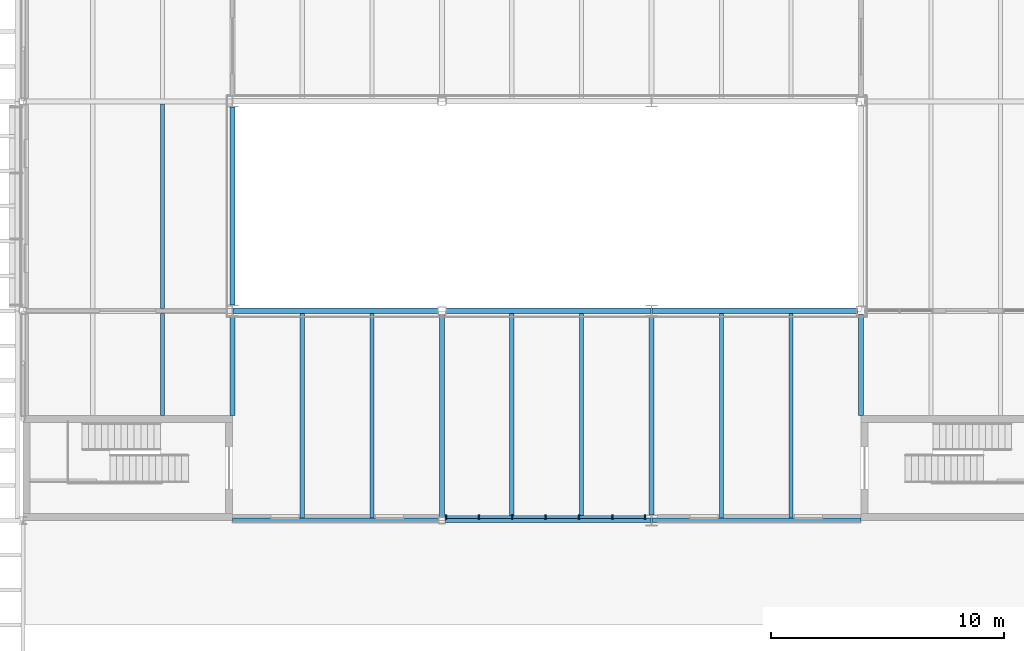
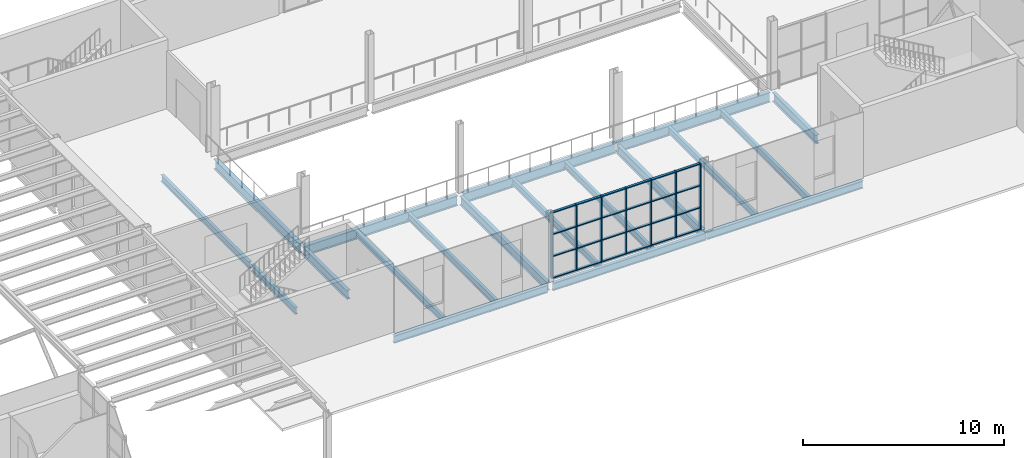
# One storey, part 9 of 57: 31 members, 19 beams, 1 element without a shape of its own.
"""IFC4 building model written with IfcOpenShell, lengths in metres."""

import ifcopenshell
import ifcopenshell.guid

model = None  # the IFC model being written
_history = None  # IfcOwnerHistory: only IFC2X3 demands one
_inside = {}  # id of a spatial element -> (the spatial element, [elements in it])
_under = {}  # id of a project, library or spatial element -> (it, [spatial elements below it])
_declared = {}  # id of a project -> (the project, [libraries it declares])
_typed = {}  # id of a type object -> (the type object, [elements of that type])
_made_of = {}  # id of a material, layer set ... -> (it, [elements and type objects made of it])


def new_model(schema):
    """Start an empty IFC model of exactly this schema.

    Asked for "IFC4X3", IfcOpenShell would pick the latest addendum, in which some entities
    have other attributes; the version numbers below select the first issue.
    IFC2X3 requires an IfcOwnerHistory on every rooted entity: one is made here for all.
    """
    global model, _history
    if schema == "IFC4X3":
        model = ifcopenshell.file(schema_version=(4, 3, 0, 0))
    else:
        model = ifcopenshell.file(schema=schema)
    _inside.clear()
    _under.clear()
    _declared.clear()
    _typed.clear()
    _made_of.clear()
    _history = None
    if model.schema == "IFC2X3":
        org = make("IfcOrganization", Name="unknown")
        user = make(
            "IfcPersonAndOrganization",
            ThePerson=make("IfcPerson", FamilyName="unknown"),
            TheOrganization=org,
        )
        app = make(
            "IfcApplication",
            ApplicationDeveloper=org,
            Version="unknown",
            ApplicationFullName="unknown",
            ApplicationIdentifier="unknown",
        )
        _history = make(
            "IfcOwnerHistory",
            OwningUser=user,
            OwningApplication=app,
            ChangeAction="ADDED",
            CreationDate=0,
        )
    return model


def make(cls, **values):
    """One entity of the class cls with the attributes given. An attribute that is None is left unset."""
    return model.create_entity(
        cls, **{name: value for name, value in values.items() if value is not None}
    )


def rooted(cls, **values):
    """An entity with a GlobalId (a new one), such as an element, a storey or a relation."""
    return make(cls, GlobalId=ifcopenshell.guid.new(), OwnerHistory=_history, **values)


def si_unit(unit_type, name, prefix=None):
    """IfcSIUnit, for example si_unit("LENGTHUNIT", "METRE", prefix="MILLI")."""
    return make("IfcSIUnit", UnitType=unit_type, Prefix=prefix, Name=name)


def assignment(units):
    """IfcUnitAssignment: the units of a project."""
    return None if units is None else make("IfcUnitAssignment", Units=units)


def point(xyz):
    """IfcCartesianPoint."""
    return None if xyz is None else make("IfcCartesianPoint", Coordinates=xyz)


def direction(xyz):
    """IfcDirection."""
    return None if xyz is None else make("IfcDirection", DirectionRatios=xyz)


def frame(location, z_axis=None, x_axis=None):
    """IfcAxis2Placement3D, a coordinate frame: its origin and axes. An axis left out is left unset."""
    return make(
        "IfcAxis2Placement3D",
        Location=point(location),
        Axis=direction(z_axis),
        RefDirection=direction(x_axis),
    )


def frame_2d(location, x_axis=None):
    """IfcAxis2Placement2D, a coordinate frame in the plane: its origin and x axis."""
    return make(
        "IfcAxis2Placement2D", Location=point(location), RefDirection=direction(x_axis)
    )


def origin():
    """The frame at (0, 0, 0) with its axes left unset."""
    return frame((0.0, 0.0, 0.0))


def origin_2d():
    """The frame at (0, 0) in the plane with its x axis left unset."""
    return frame_2d((0.0, 0.0))


def place(relative_to, where):
    """IfcLocalPlacement: puts the frame where relative to a parent placement (None: the world)."""
    return make(
        "IfcLocalPlacement", PlacementRelTo=relative_to, RelativePlacement=where
    )


def context(
    kind, dimensions, precision=None, world=None, true_north=None, identifier=None
):
    """IfcGeometricRepresentationContext, for example the 3D "Model" context."""
    return make(
        "IfcGeometricRepresentationContext",
        ContextIdentifier=identifier,
        ContextType=kind,
        CoordinateSpaceDimension=dimensions,
        Precision=precision,
        WorldCoordinateSystem=world,
        TrueNorth=true_north,
    )


def subcontext(parent, identifier, kind, view, scale=None):
    """IfcGeometricRepresentationSubContext, for example "Body" below "Model"."""
    return make(
        "IfcGeometricRepresentationSubContext",
        ContextIdentifier=identifier,
        ContextType=kind,
        ParentContext=parent,
        TargetScale=scale,
        TargetView=view,
    )


def project(units=None, contexts=None):
    """IfcProject with its units and contexts."""
    return rooted(
        "IfcProject",
        Name="project",
        RepresentationContexts=contexts,
        UnitsInContext=assignment(units),
    )


def spatial(cls, under=None, at=None, **own):
    """A site, building, storey or space (cls), placed at a placement, below another one or the project."""
    s = rooted(cls, ObjectPlacement=at, **own)
    if under is not None:
        _under.setdefault(under.id(), (under, []))[1].append(s)
    return s


def profile(cls, at=None, kind="AREA", **sizes):
    """A parametric profile (cls). Its sizes go by their IFC names, for example OverallWidth=200.0."""
    return make(cls, ProfileType=kind, Position=at, **sizes)


def rectangle(**sizes):
    """IfcRectangleProfileDef."""
    return profile("IfcRectangleProfileDef", **sizes)


def i_section(**sizes):
    """IfcIShapeProfileDef."""
    return profile("IfcIShapeProfileDef", **sizes)


def extrude(swept, where, along, depth):
    """IfcExtrudedAreaSolid: the profile swept, set in the frame where, extruded along a direction by depth."""
    return make(
        "IfcExtrudedAreaSolid",
        SweptArea=swept,
        Position=where,
        ExtrudedDirection=direction(along),
        Depth=depth,
    )


def shape(context_of_items, identifier, shape_type, items):
    """IfcShapeRepresentation: the items that make up one representation, for example the "Body"."""
    return make(
        "IfcShapeRepresentation",
        ContextOfItems=context_of_items,
        RepresentationIdentifier=identifier,
        RepresentationType=shape_type,
        Items=items,
    )


def material(Name=None, Category=None):
    """IfcMaterial."""
    return make("IfcMaterial", Name=Name, Category=Category)


def layer(
    of_material, thickness, ventilated=None, Name=None, Category=None, Priority=None
):
    """IfcMaterialLayer: one layer of a wall or slab, of a material (None: an air gap)."""
    return make(
        "IfcMaterialLayer",
        Material=of_material,
        LayerThickness=thickness,
        IsVentilated=ventilated,
        Name=Name,
        Category=Category,
        Priority=Priority,
    )


def layer_set(layers, Name=None):
    """IfcMaterialLayerSet."""
    return make("IfcMaterialLayerSet", MaterialLayers=layers, LayerSetName=Name)


def material_profile(
    of_material, cross_section, Name=None, Category=None, Priority=None
):
    """IfcMaterialProfile: a cross section and its material."""
    return make(
        "IfcMaterialProfile",
        Name=Name,
        Material=of_material,
        Profile=cross_section,
        Priority=Priority,
        Category=Category,
    )


def profile_set(profiles, Name=None, composite=None):
    """IfcMaterialProfileSet."""
    return make(
        "IfcMaterialProfileSet",
        Name=Name,
        MaterialProfiles=profiles,
        CompositeProfile=composite,
    )


def made_of(thing, what):
    """Note that an element or type object is made of a material, layer set ...; save() writes the relation."""
    if what is not None:
        _made_of.setdefault(what.id(), (what, []))[1].append(thing)
    return thing


def type_object(cls, material=None, **own):
    """A type object (cls), such as IfcWallType, which elements share."""
    return made_of(rooted(cls, **own), material)


def element(
    cls,
    number,
    at=None,
    inside=None,
    cuts=None,
    type_object=None,
    material=None,
    context=None,
    identifier="Body",
    shape_type=None,
    held_by="IfcProductDefinitionShape",
    body=None,
    shapes=None,
    **own,
):
    """One element of the class cls, such as IfcWall. Its Tag is "e" and its number.

    at: its placement. inside: the storey or other place that contains it. cuts: it is an
    opening in that element (IfcRelVoidsElement). A single representation is given by context,
    identifier, shape_type and body (its items); several are given by shapes. held_by: the class
    of the entity that holds the representations. save() writes the other relations.
    """
    e = rooted(cls, Tag="e%d" % number, ObjectPlacement=at, **own)
    if body is not None:
        shapes = [shape(context, identifier, shape_type, body)]
    if shapes is not None:
        e.Representation = make(held_by, Representations=shapes)
    if inside is not None:
        _inside.setdefault(inside.id(), (inside, []))[1].append(e)
    if cuts is not None:
        rooted(
            "IfcRelVoidsElement", RelatingBuildingElement=cuts, RelatedOpeningElement=e
        )
    if type_object is not None:
        _typed.setdefault(type_object.id(), (type_object, []))[1].append(e)
    return made_of(e, material)


def aggregate(whole, parts):
    """IfcRelAggregates: a whole, such as a stair, and the parts it consists of."""
    return rooted("IfcRelAggregates", RelatingObject=whole, RelatedObjects=parts)


def save(model, path):
    """Write the relations noted so far, then the file.

    IfcRelAggregates (storeys below a building ...), IfcRelContainedInSpatialStructure (elements
    in a storey), IfcRelDefinesByType, IfcRelAssociatesMaterial and IfcRelDeclares: one each for
    every whole, place, type object, material and project.
    """
    for whole, parts in _under.values():
        aggregate(whole, parts)
    for where, things in _inside.values():
        rooted(
            "IfcRelContainedInSpatialStructure",
            RelatedElements=things,
            RelatingStructure=where,
        )
    for kind, things in _typed.values():
        rooted("IfcRelDefinesByType", RelatedObjects=things, RelatingType=kind)
    for what, things in _made_of.values():
        rooted("IfcRelAssociatesMaterial", RelatedObjects=things, RelatingMaterial=what)
    for by, libraries in _declared.values():
        rooted("IfcRelDeclares", RelatingContext=by, RelatedDefinitions=libraries)
    model.write(path)


model = new_model("IFC4")

# Units and contexts
model_context = context("Model", 3, precision=1e-05, world=origin(), true_north=direction((0.0, 1.0)))
body_context = subcontext(model_context, "Body", "Model", "MODEL_VIEW")
ifc_project = project(units=[si_unit("LENGTHUNIT", "METRE"), si_unit("AREAUNIT", "SQUARE_METRE"), si_unit("VOLUMEUNIT", "CUBIC_METRE"), si_unit("PLANEANGLEUNIT", "RADIAN"), si_unit("MASSUNIT", "GRAM", prefix="KILO")], contexts=[model_context])

# Site, building, storey
site_placement = place(None, origin())
site = spatial("IfcSite", under=ifc_project, at=site_placement, CompositionType="ELEMENT")
building_placement = place(site_placement, origin())
building = spatial("IfcBuilding", under=site, at=building_placement, Name="Halyard Row Museum", CompositionType="ELEMENT")
storey_placement = place(building_placement, frame((0.0, 0.0, 5.0)))
storey = spatial("IfcBuildingStorey", under=building, at=storey_placement, Name="L01", CompositionType="ELEMENT", Elevation=5.0)

# Curtain wall, members
ifc_material_1 = material(Name="Double glazed unit, low-emissivity", Category="glass")
ifc_layer = layer(ifc_material_1, 0.179931640625)
ifc_layer_set = layer_set([ifc_layer], Name="Double glazed unit, low-emissivity")
curtain_wall_type = type_object("IfcCurtainWallType", Name="Curtain wall stick 180 deep", PredefinedType="NOTDEFINED", material=ifc_layer_set)
curtain_wall_placement = place(storey_placement, origin())
curtain_wall = element("IfcCurtainWall", 1, at=curtain_wall_placement, inside=storey, type_object=curtain_wall_type, Name="Curtain wall CW023", PredefinedType="NOTDEFINED")
ifc_material_2 = material(Name="Powder-coated aluminium section", Category="aluminium")
ifc_material_profile_1 = material_profile(ifc_material_2, rectangle(XDim=0.179931640625, YDim=0.06005859375, at=origin_2d()), Name="180x60 mullion")
ifc_profile_set_1 = profile_set([ifc_material_profile_1], Name="Powder-coated aluminium section")
member_type_1 = type_object("IfcMemberType", Name="Curtain wall mullion CM2 60 x 180", PredefinedType="MULLION", material=ifc_profile_set_1)
member_1_placement = place(storey_placement, frame((45.179931640625, 18.139892578125, 0.0), z_axis=(0.0, 0.0, 1.0), x_axis=(0.0, 1.0, 0.0)))
member_1 = element("IfcMember", 2, at=member_1_placement, type_object=member_type_1, Name="CW023 mullion 1", PredefinedType="MULLION", context=body_context, shape_type="SweptSolid", body=[
    extrude(rectangle(XDim=0.179931640625, YDim=0.06005859375, at=origin_2d()), origin(), (0.0, 0.0, 1.0), 4.034912109375),
])
member_2_placement = place(storey_placement, frame((46.583251953125, 18.139892578125, 0.0), z_axis=(0.0, 0.0, 1.0), x_axis=(0.0, 1.0, 0.0)))
member_2 = element("IfcMember", 3, at=member_2_placement, type_object=member_type_1, Name="CW023 mullion 2", PredefinedType="MULLION", context=body_context, shape_type="SweptSolid", body=[
    extrude(rectangle(XDim=0.179931640625, YDim=0.06005859375, at=origin_2d()), origin(), (0.0, 0.0, 1.0), 4.034912109375),
])
member_3_placement = place(storey_placement, frame((48.0166015625, 18.139892578125, 0.0), z_axis=(0.0, 0.0, 1.0), x_axis=(0.0, 1.0, 0.0)))
member_3 = element("IfcMember", 4, at=member_3_placement, type_object=member_type_1, Name="CW023 mullion 3", PredefinedType="MULLION", context=body_context, shape_type="SweptSolid", body=[
    extrude(rectangle(XDim=0.179931640625, YDim=0.06005859375, at=origin_2d()), origin(), (0.0, 0.0, 1.0), 4.034912109375),
])
member_4_placement = place(storey_placement, frame((49.449951171875, 18.139892578125, 0.0), z_axis=(0.0, 0.0, 1.0), x_axis=(0.0, 1.0, 0.0)))
member_4 = element("IfcMember", 5, at=member_4_placement, type_object=member_type_1, Name="CW023 mullion 4", PredefinedType="MULLION", context=body_context, shape_type="SweptSolid", body=[
    extrude(rectangle(XDim=0.179931640625, YDim=0.06005859375, at=origin_2d()), origin(), (0.0, 0.0, 1.0), 4.034912109375),
])
member_5_placement = place(storey_placement, frame((50.88330078125, 18.139892578125, 0.0), z_axis=(0.0, 0.0, 1.0), x_axis=(0.0, 1.0, 0.0)))
member_5 = element("IfcMember", 6, at=member_5_placement, type_object=member_type_1, Name="CW023 mullion 5", PredefinedType="MULLION", context=body_context, shape_type="SweptSolid", body=[
    extrude(rectangle(XDim=0.179931640625, YDim=0.06005859375, at=origin_2d()), origin(), (0.0, 0.0, 1.0), 4.034912109375),
])
member_6_placement = place(storey_placement, frame((52.316650390625, 18.139892578125, 0.0), z_axis=(0.0, 0.0, 1.0), x_axis=(0.0, 1.0, 0.0)))
member_6 = element("IfcMember", 7, at=member_6_placement, type_object=member_type_1, Name="CW023 mullion 6", PredefinedType="MULLION", context=body_context, shape_type="SweptSolid", body=[
    extrude(rectangle(XDim=0.179931640625, YDim=0.06005859375, at=origin_2d()), origin(), (0.0, 0.0, 1.0), 4.034912109375),
])
member_7_placement = place(storey_placement, frame((53.719970703125, 18.139892578125, 0.0), z_axis=(0.0, 0.0, 1.0), x_axis=(0.0, 1.0, 0.0)))
member_7 = element("IfcMember", 8, at=member_7_placement, type_object=member_type_1, Name="CW023 mullion 7", PredefinedType="MULLION", context=body_context, shape_type="SweptSolid", body=[
    extrude(rectangle(XDim=0.179931640625, YDim=0.06005859375, at=origin_2d()), origin(), (0.0, 0.0, 1.0), 4.034912109375),
])
ifc_material_3 = material(Name="Powder-coated aluminium section", Category="aluminium")
ifc_material_profile_2 = material_profile(ifc_material_3, rectangle(XDim=0.139892578125, YDim=0.06005859375, at=origin_2d()), Name="140x60 transom")
ifc_profile_set_2 = profile_set([ifc_material_profile_2], Name="Powder-coated aluminium section")
member_type_2 = type_object("IfcMemberType", Name="Curtain wall transom CT2 60 x 140", PredefinedType="USERDEFINED", material=ifc_profile_set_2)
member_8_placement = place(storey_placement, frame((45.2099609375, 18.139892578125, 0.030029296875), z_axis=(1.0, 0.0, 0.0), x_axis=(0.0, 1.0, 0.0)))
member_8 = element("IfcMember", 9, at=member_8_placement, type_object=member_type_2, Name="CW023 transom 1.1", ObjectType="TRANSOM", PredefinedType="USERDEFINED", context=body_context, shape_type="SweptSolid", body=[
    extrude(rectangle(XDim=0.139892578125, YDim=0.06005859375, at=origin_2d()), origin(), (0.0, 0.0, 1.0), 1.34326171875),
])
member_9_placement = place(storey_placement, frame((45.2099609375, 18.139892578125, 1.344970703125), z_axis=(1.0, 0.0, 0.0), x_axis=(0.0, 1.0, 0.0)))
member_9 = element("IfcMember", 10, at=member_9_placement, type_object=member_type_2, Name="CW023 transom 1.2", ObjectType="TRANSOM", PredefinedType="USERDEFINED", context=body_context, shape_type="SweptSolid", body=[
    extrude(rectangle(XDim=0.139892578125, YDim=0.06005859375, at=origin_2d()), origin(), (0.0, 0.0, 1.0), 1.34326171875),
])
member_10_placement = place(storey_placement, frame((45.2099609375, 18.139892578125, 2.68994140625), z_axis=(1.0, 0.0, 0.0), x_axis=(0.0, 1.0, 0.0)))
member_10 = element("IfcMember", 11, at=member_10_placement, type_object=member_type_2, Name="CW023 transom 1.3", ObjectType="TRANSOM", PredefinedType="USERDEFINED", context=body_context, shape_type="SweptSolid", body=[
    extrude(rectangle(XDim=0.139892578125, YDim=0.06005859375, at=origin_2d()), origin(), (0.0, 0.0, 1.0), 1.34326171875),
])
member_11_placement = place(storey_placement, frame((45.2099609375, 18.139892578125, 4.0048828125), z_axis=(1.0, 0.0, 0.0), x_axis=(0.0, 1.0, 0.0)))
member_11 = element("IfcMember", 12, at=member_11_placement, type_object=member_type_2, Name="CW023 transom 1.4", ObjectType="TRANSOM", PredefinedType="USERDEFINED", context=body_context, shape_type="SweptSolid", body=[
    extrude(rectangle(XDim=0.139892578125, YDim=0.06005859375, at=origin_2d()), origin(), (0.0, 0.0, 1.0), 1.34326171875),
])
member_12_placement = place(storey_placement, frame((46.61328125, 18.139892578125, 0.030029296875), z_axis=(1.0, 0.0, 0.0), x_axis=(0.0, 1.0, 0.0)))
member_12 = element("IfcMember", 13, at=member_12_placement, type_object=member_type_2, Name="CW023 transom 2.1", ObjectType="TRANSOM", PredefinedType="USERDEFINED", context=body_context, shape_type="SweptSolid", body=[
    extrude(rectangle(XDim=0.139892578125, YDim=0.06005859375, at=origin_2d()), origin(), (0.0, 0.0, 1.0), 1.373291015625),
])
member_13_placement = place(storey_placement, frame((46.61328125, 18.139892578125, 1.344970703125), z_axis=(1.0, 0.0, 0.0), x_axis=(0.0, 1.0, 0.0)))
member_13 = element("IfcMember", 14, at=member_13_placement, type_object=member_type_2, Name="CW023 transom 2.2", ObjectType="TRANSOM", PredefinedType="USERDEFINED", context=body_context, shape_type="SweptSolid", body=[
    extrude(rectangle(XDim=0.139892578125, YDim=0.06005859375, at=origin_2d()), origin(), (0.0, 0.0, 1.0), 1.373291015625),
])
member_14_placement = place(storey_placement, frame((46.61328125, 18.139892578125, 2.68994140625), z_axis=(1.0, 0.0, 0.0), x_axis=(0.0, 1.0, 0.0)))
member_14 = element("IfcMember", 15, at=member_14_placement, type_object=member_type_2, Name="CW023 transom 2.3", ObjectType="TRANSOM", PredefinedType="USERDEFINED", context=body_context, shape_type="SweptSolid", body=[
    extrude(rectangle(XDim=0.139892578125, YDim=0.06005859375, at=origin_2d()), origin(), (0.0, 0.0, 1.0), 1.373291015625),
])
member_15_placement = place(storey_placement, frame((46.61328125, 18.139892578125, 4.0048828125), z_axis=(1.0, 0.0, 0.0), x_axis=(0.0, 1.0, 0.0)))
member_15 = element("IfcMember", 16, at=member_15_placement, type_object=member_type_2, Name="CW023 transom 2.4", ObjectType="TRANSOM", PredefinedType="USERDEFINED", context=body_context, shape_type="SweptSolid", body=[
    extrude(rectangle(XDim=0.139892578125, YDim=0.06005859375, at=origin_2d()), origin(), (0.0, 0.0, 1.0), 1.373291015625),
])
member_16_placement = place(storey_placement, frame((48.046630859375, 18.139892578125, 0.030029296875), z_axis=(1.0, 0.0, 0.0), x_axis=(0.0, 1.0, 0.0)))
member_16 = element("IfcMember", 17, at=member_16_placement, type_object=member_type_2, Name="CW023 transom 3.1", ObjectType="TRANSOM", PredefinedType="USERDEFINED", context=body_context, shape_type="SweptSolid", body=[
    extrude(rectangle(XDim=0.139892578125, YDim=0.06005859375, at=origin_2d()), origin(), (0.0, 0.0, 1.0), 1.373291015625),
])
member_17_placement = place(storey_placement, frame((48.046630859375, 18.139892578125, 1.344970703125), z_axis=(1.0, 0.0, 0.0), x_axis=(0.0, 1.0, 0.0)))
member_17 = element("IfcMember", 18, at=member_17_placement, type_object=member_type_2, Name="CW023 transom 3.2", ObjectType="TRANSOM", PredefinedType="USERDEFINED", context=body_context, shape_type="SweptSolid", body=[
    extrude(rectangle(XDim=0.139892578125, YDim=0.06005859375, at=origin_2d()), origin(), (0.0, 0.0, 1.0), 1.373291015625),
])
member_18_placement = place(storey_placement, frame((48.046630859375, 18.139892578125, 2.68994140625), z_axis=(1.0, 0.0, 0.0), x_axis=(0.0, 1.0, 0.0)))
member_18 = element("IfcMember", 19, at=member_18_placement, type_object=member_type_2, Name="CW023 transom 3.3", ObjectType="TRANSOM", PredefinedType="USERDEFINED", context=body_context, shape_type="SweptSolid", body=[
    extrude(rectangle(XDim=0.139892578125, YDim=0.06005859375, at=origin_2d()), origin(), (0.0, 0.0, 1.0), 1.373291015625),
])
member_19_placement = place(storey_placement, frame((48.046630859375, 18.139892578125, 4.0048828125), z_axis=(1.0, 0.0, 0.0), x_axis=(0.0, 1.0, 0.0)))
member_19 = element("IfcMember", 20, at=member_19_placement, type_object=member_type_2, Name="CW023 transom 3.4", ObjectType="TRANSOM", PredefinedType="USERDEFINED", context=body_context, shape_type="SweptSolid", body=[
    extrude(rectangle(XDim=0.139892578125, YDim=0.06005859375, at=origin_2d()), origin(), (0.0, 0.0, 1.0), 1.373291015625),
])
member_20_placement = place(storey_placement, frame((49.47998046875, 18.139892578125, 0.030029296875), z_axis=(1.0, 0.0, 0.0), x_axis=(0.0, 1.0, 0.0)))
member_20 = element("IfcMember", 21, at=member_20_placement, type_object=member_type_2, Name="CW023 transom 4.1", ObjectType="TRANSOM", PredefinedType="USERDEFINED", context=body_context, shape_type="SweptSolid", body=[
    extrude(rectangle(XDim=0.139892578125, YDim=0.06005859375, at=origin_2d()), origin(), (0.0, 0.0, 1.0), 1.373291015625),
])
member_21_placement = place(storey_placement, frame((49.47998046875, 18.139892578125, 1.344970703125), z_axis=(1.0, 0.0, 0.0), x_axis=(0.0, 1.0, 0.0)))
member_21 = element("IfcMember", 22, at=member_21_placement, type_object=member_type_2, Name="CW023 transom 4.2", ObjectType="TRANSOM", PredefinedType="USERDEFINED", context=body_context, shape_type="SweptSolid", body=[
    extrude(rectangle(XDim=0.139892578125, YDim=0.06005859375, at=origin_2d()), origin(), (0.0, 0.0, 1.0), 1.373291015625),
])
member_22_placement = place(storey_placement, frame((49.47998046875, 18.139892578125, 2.68994140625), z_axis=(1.0, 0.0, 0.0), x_axis=(0.0, 1.0, 0.0)))
member_22 = element("IfcMember", 23, at=member_22_placement, type_object=member_type_2, Name="CW023 transom 4.3", ObjectType="TRANSOM", PredefinedType="USERDEFINED", context=body_context, shape_type="SweptSolid", body=[
    extrude(rectangle(XDim=0.139892578125, YDim=0.06005859375, at=origin_2d()), origin(), (0.0, 0.0, 1.0), 1.373291015625),
])
member_23_placement = place(storey_placement, frame((49.47998046875, 18.139892578125, 4.0048828125), z_axis=(1.0, 0.0, 0.0), x_axis=(0.0, 1.0, 0.0)))
member_23 = element("IfcMember", 24, at=member_23_placement, type_object=member_type_2, Name="CW023 transom 4.4", ObjectType="TRANSOM", PredefinedType="USERDEFINED", context=body_context, shape_type="SweptSolid", body=[
    extrude(rectangle(XDim=0.139892578125, YDim=0.06005859375, at=origin_2d()), origin(), (0.0, 0.0, 1.0), 1.373291015625),
])
member_24_placement = place(storey_placement, frame((50.913330078125, 18.139892578125, 0.030029296875), z_axis=(1.0, 0.0, 0.0), x_axis=(0.0, 1.0, 0.0)))
member_24 = element("IfcMember", 25, at=member_24_placement, type_object=member_type_2, Name="CW023 transom 5.1", ObjectType="TRANSOM", PredefinedType="USERDEFINED", context=body_context, shape_type="SweptSolid", body=[
    extrude(rectangle(XDim=0.139892578125, YDim=0.06005859375, at=origin_2d()), origin(), (0.0, 0.0, 1.0), 1.373291015625),
])
member_25_placement = place(storey_placement, frame((50.913330078125, 18.139892578125, 1.344970703125), z_axis=(1.0, 0.0, 0.0), x_axis=(0.0, 1.0, 0.0)))
member_25 = element("IfcMember", 26, at=member_25_placement, type_object=member_type_2, Name="CW023 transom 5.2", ObjectType="TRANSOM", PredefinedType="USERDEFINED", context=body_context, shape_type="SweptSolid", body=[
    extrude(rectangle(XDim=0.139892578125, YDim=0.06005859375, at=origin_2d()), origin(), (0.0, 0.0, 1.0), 1.373291015625),
])
member_26_placement = place(storey_placement, frame((50.913330078125, 18.139892578125, 2.68994140625), z_axis=(1.0, 0.0, 0.0), x_axis=(0.0, 1.0, 0.0)))
member_26 = element("IfcMember", 27, at=member_26_placement, type_object=member_type_2, Name="CW023 transom 5.3", ObjectType="TRANSOM", PredefinedType="USERDEFINED", context=body_context, shape_type="SweptSolid", body=[
    extrude(rectangle(XDim=0.139892578125, YDim=0.06005859375, at=origin_2d()), origin(), (0.0, 0.0, 1.0), 1.373291015625),
])
member_27_placement = place(storey_placement, frame((50.913330078125, 18.139892578125, 4.0048828125), z_axis=(1.0, 0.0, 0.0), x_axis=(0.0, 1.0, 0.0)))
member_27 = element("IfcMember", 28, at=member_27_placement, type_object=member_type_2, Name="CW023 transom 5.4", ObjectType="TRANSOM", PredefinedType="USERDEFINED", context=body_context, shape_type="SweptSolid", body=[
    extrude(rectangle(XDim=0.139892578125, YDim=0.06005859375, at=origin_2d()), origin(), (0.0, 0.0, 1.0), 1.373291015625),
])
member_28_placement = place(storey_placement, frame((52.3466796875, 18.139892578125, 0.030029296875), z_axis=(1.0, 0.0, 0.0), x_axis=(0.0, 1.0, 0.0)))
member_28 = element("IfcMember", 29, at=member_28_placement, type_object=member_type_2, Name="CW023 transom 6.1", ObjectType="TRANSOM", PredefinedType="USERDEFINED", context=body_context, shape_type="SweptSolid", body=[
    extrude(rectangle(XDim=0.139892578125, YDim=0.06005859375, at=origin_2d()), origin(), (0.0, 0.0, 1.0), 1.34326171875),
])
member_29_placement = place(storey_placement, frame((52.3466796875, 18.139892578125, 1.344970703125), z_axis=(1.0, 0.0, 0.0), x_axis=(0.0, 1.0, 0.0)))
member_29 = element("IfcMember", 30, at=member_29_placement, type_object=member_type_2, Name="CW023 transom 6.2", ObjectType="TRANSOM", PredefinedType="USERDEFINED", context=body_context, shape_type="SweptSolid", body=[
    extrude(rectangle(XDim=0.139892578125, YDim=0.06005859375, at=origin_2d()), origin(), (0.0, 0.0, 1.0), 1.34326171875),
])
member_30_placement = place(storey_placement, frame((52.3466796875, 18.139892578125, 2.68994140625), z_axis=(1.0, 0.0, 0.0), x_axis=(0.0, 1.0, 0.0)))
member_30 = element("IfcMember", 31, at=member_30_placement, type_object=member_type_2, Name="CW023 transom 6.3", ObjectType="TRANSOM", PredefinedType="USERDEFINED", context=body_context, shape_type="SweptSolid", body=[
    extrude(rectangle(XDim=0.139892578125, YDim=0.06005859375, at=origin_2d()), origin(), (0.0, 0.0, 1.0), 1.34326171875),
])
member_31_placement = place(storey_placement, frame((52.3466796875, 18.139892578125, 4.0048828125), z_axis=(1.0, 0.0, 0.0), x_axis=(0.0, 1.0, 0.0)))
member_31 = element("IfcMember", 32, at=member_31_placement, type_object=member_type_2, Name="CW023 transom 6.4", ObjectType="TRANSOM", PredefinedType="USERDEFINED", context=body_context, shape_type="SweptSolid", body=[
    extrude(rectangle(XDim=0.139892578125, YDim=0.06005859375, at=origin_2d()), origin(), (0.0, 0.0, 1.0), 1.34326171875),
])
aggregate(curtain_wall, [member_1, member_2, member_3, member_4, member_5, member_6, member_7, member_8, member_9, member_10, member_11, member_12, member_13, member_14, member_15, member_16, member_17, member_18, member_19, member_20, member_21, member_22, member_23, member_24, member_25, member_26, member_27, member_28, member_29, member_30, member_31])

# Beams
ifc_material_4 = material(Name="Steel Grade 300", Category="steel")
ifc_material_profile_3 = material_profile(ifc_material_4, i_section(OverallWidth=0.18994140625, OverallDepth=0.45751953125, WebThickness=0.009033203125, FlangeThickness=0.014404296875, FilletRadius=0.011474609375, at=origin_2d()), Name="460UB74.6")
ifc_profile_set_3 = profile_set([ifc_material_profile_3], Name="Steel Grade 300")
beam_type_1 = type_object("IfcBeamType", Name="Edge beam 460UB74.6", PredefinedType="BEAM", material=ifc_profile_set_3)
beam_1_placement = place(storey_placement, frame((36.0, 18.0, -0.393798828125), z_axis=(1.0, 0.0, 0.0), x_axis=(0.0, 1.0, 0.0)))
element("IfcBeam", 33, at=beam_1_placement, inside=storey, type_object=beam_type_1, Name="Beam L01-012", PredefinedType="BEAM", context=body_context, shape_type="SweptSolid", body=[
    extrude(i_section(OverallWidth=0.18994140625, OverallDepth=0.45751953125, WebThickness=0.009033203125, FlangeThickness=0.014404296875, FilletRadius=0.011474609375, at=origin_2d()), origin(), (0.0, 0.0, 1.0), 8.85009765625),
])
beam_2_placement = place(storey_placement, frame((45.14990234375, 18.0, -0.393798828125), z_axis=(1.0, 0.0, 0.0), x_axis=(0.0, 1.0, 0.0)))
element("IfcBeam", 34, at=beam_2_placement, inside=storey, type_object=beam_type_1, Name="Beam L01-013", PredefinedType="BEAM", context=body_context, shape_type="SweptSolid", body=[
    extrude(i_section(OverallWidth=0.18994140625, OverallDepth=0.45751953125, WebThickness=0.009033203125, FlangeThickness=0.014404296875, FilletRadius=0.011474609375, at=origin_2d()), origin(), (0.0, 0.0, 1.0), 8.830078125),
])
beam_3_placement = place(storey_placement, frame((54.02001953125, 18.0, -0.393798828125), z_axis=(1.0, 0.0, 0.0), x_axis=(0.0, 1.0, 0.0)))
element("IfcBeam", 35, at=beam_3_placement, inside=storey, type_object=beam_type_1, Name="Beam L01-014", PredefinedType="BEAM", context=body_context, shape_type="SweptSolid", body=[
    extrude(i_section(OverallWidth=0.18994140625, OverallDepth=0.45751953125, WebThickness=0.009033203125, FlangeThickness=0.014404296875, FilletRadius=0.011474609375, at=origin_2d()), origin(), (0.0, 0.0, 1.0), 8.97998046875),
])
ifc_material_5 = material(Name="Steel Grade 300", Category="steel")
ifc_material_profile_4 = material_profile(ifc_material_5, i_section(OverallWidth=0.208984375, OverallDepth=0.532958984375, WebThickness=0.01025390625, FlangeThickness=0.015625, FilletRadius=0.013916015625, at=origin_2d()), Name="530UB92.4")
ifc_profile_set_4 = profile_set([ifc_material_profile_4], Name="Steel Grade 300")
beam_type_2 = type_object("IfcBeamType", Name="Girder beam 530UB92.4", PredefinedType="BEAM", material=ifc_profile_set_4)
beam_4_placement = place(storey_placement, frame((36.0, 22.5, -0.431396484375), z_axis=(0.0, 1.0, 0.0), x_axis=(-1.0, 0.0, 0.0)))
element("IfcBeam", 36, at=beam_4_placement, inside=storey, type_object=beam_type_2, Name="Beam L01-052", PredefinedType="BEAM", context=body_context, shape_type="SweptSolid", body=[
    extrude(i_section(OverallWidth=0.208984375, OverallDepth=0.532958984375, WebThickness=0.01025390625, FlangeThickness=0.015625, FilletRadius=0.013916015625, at=origin_2d()), origin(), (0.0, 0.0, 1.0), 4.260009765625),
])
beam_5_placement = place(storey_placement, frame((45.0, 18.14990234375, -0.431396484375), z_axis=(0.0, 1.0, 0.0), x_axis=(-1.0, 0.0, 0.0)))
element("IfcBeam", 37, at=beam_5_placement, inside=storey, type_object=beam_type_2, Name="Beam L01-055", PredefinedType="BEAM", context=body_context, shape_type="SweptSolid", body=[
    extrude(i_section(OverallWidth=0.208984375, OverallDepth=0.532958984375, WebThickness=0.01025390625, FlangeThickness=0.015625, FilletRadius=0.013916015625, at=origin_2d()), origin(), (0.0, 0.0, 1.0), 8.689697265625),
])
beam_6_placement = place(storey_placement, frame((54.0, 18.239990234375, -0.431396484375), z_axis=(0.0, 1.0, 0.0), x_axis=(-1.0, 0.0, 0.0)))
element("IfcBeam", 38, at=beam_6_placement, inside=storey, type_object=beam_type_2, Name="Beam L01-057", PredefinedType="BEAM", context=body_context, shape_type="SweptSolid", body=[
    extrude(i_section(OverallWidth=0.208984375, OverallDepth=0.532958984375, WebThickness=0.01025390625, FlangeThickness=0.015625, FilletRadius=0.013916015625, at=origin_2d()), origin(), (0.0, 0.0, 1.0), 8.52001953125),
])
beam_7_placement = place(storey_placement, frame((63.0, 22.5, -0.431396484375), z_axis=(0.0, 1.0, 0.0), x_axis=(-1.0, 0.0, 0.0)))
element("IfcBeam", 39, at=beam_7_placement, inside=storey, type_object=beam_type_2, Name="Beam L01-059", PredefinedType="BEAM", context=body_context, shape_type="SweptSolid", body=[
    extrude(i_section(OverallWidth=0.208984375, OverallDepth=0.532958984375, WebThickness=0.01025390625, FlangeThickness=0.015625, FilletRadius=0.013916015625, at=origin_2d()), origin(), (0.0, 0.0, 1.0), 4.33642578125),
])
ifc_material_6 = material(Name="Steel Grade 300", Category="steel")
ifc_material_profile_5 = material_profile(ifc_material_6, i_section(OverallWidth=0.177978515625, OverallDepth=0.406494140625, WebThickness=0.0078125, FlangeThickness=0.0126953125, FilletRadius=0.011474609375, at=origin_2d()), Name="410UB59.7")
ifc_profile_set_5 = profile_set([ifc_material_profile_5], Name="Steel Grade 300")
beam_type_3 = type_object("IfcBeamType", Name="Secondary beam 410UB59.7", PredefinedType="BEAM", material=ifc_profile_set_5)
for number, where, z_axis, x_axis, name in (
    (40, (39.0, 18.094970703125, -0.3681640625), (0.0, 1.0, 0.0), (-1.0, 0.0, 0.0), "Beam L01-101"),
    (41, (42.0, 18.094970703125, -0.3681640625), (0.0, 1.0, 0.0), (-1.0, 0.0, 0.0), "Beam L01-102"),
    (42, (48.0, 18.094970703125, -0.3681640625), (0.0, 1.0, 0.0), (-1.0, 0.0, 0.0), "Beam L01-103"),
    (43, (51.0, 18.094970703125, -0.3681640625), (0.0, 1.0, 0.0), (-1.0, 0.0, 0.0), "Beam L01-104"),
    (44, (57.0, 18.094970703125, -0.3681640625), (0.0, 1.0, 0.0), (-1.0, 0.0, 0.0), "Beam L01-105"),
    (45, (60.0, 18.094970703125, -0.3681640625), (0.0, 1.0, 0.0), (-1.0, 0.0, 0.0), "Beam L01-106"),
):
    element("IfcBeam", number, at=place(storey_placement, frame(where, z_axis=z_axis, x_axis=x_axis)), inside=storey, type_object=beam_type_3, Name=name, PredefinedType="BEAM", context=body_context, shape_type="SweptSolid", body=[
        extrude(i_section(OverallWidth=0.177978515625, OverallDepth=0.406494140625, WebThickness=0.0078125, FlangeThickness=0.0126953125, FilletRadius=0.011474609375, at=origin_2d()), origin(), (0.0, 0.0, 1.0), 8.791015625),
    ])
beam_8_placement = place(storey_placement, frame((33.0, 22.5, -0.3681640625), z_axis=(0.0, 1.0, 0.0), x_axis=(-1.0, 0.0, 0.0)))
element("IfcBeam", 46, at=beam_8_placement, inside=storey, type_object=beam_type_3, Name="Beam L01-112", PredefinedType="BEAM", context=body_context, shape_type="SweptSolid", body=[
    extrude(i_section(OverallWidth=0.177978515625, OverallDepth=0.406494140625, WebThickness=0.0078125, FlangeThickness=0.0126953125, FilletRadius=0.011474609375, at=origin_2d()), origin(), (0.0, 0.0, 1.0), 4.3955078125),
])
beam_9_placement = place(storey_placement, frame((33.0, 27.1044921875, -0.3681640625), z_axis=(0.0, 1.0, 0.0), x_axis=(-1.0, 0.0, 0.0)))
element("IfcBeam", 47, at=beam_9_placement, inside=storey, type_object=beam_type_3, Name="Beam L01-116", PredefinedType="BEAM", context=body_context, shape_type="SweptSolid", body=[
    extrude(i_section(OverallWidth=0.177978515625, OverallDepth=0.406494140625, WebThickness=0.0078125, FlangeThickness=0.0126953125, FilletRadius=0.011474609375, at=origin_2d()), origin(), (0.0, 0.0, 1.0), 8.791015625),
])
ifc_material_7 = material(Name="Steel Grade 300", Category="steel")
ifc_material_profile_6 = material_profile(ifc_material_7, i_section(OverallWidth=0.22802734375, OverallDepth=0.60693359375, WebThickness=0.01123046875, FlangeThickness=0.017333984375, FilletRadius=0.013916015625, at=origin_2d()), Name="610UB113")
ifc_profile_set_6 = profile_set([ifc_material_profile_6], Name="Steel Grade 300")
beam_type_4 = type_object("IfcBeamType", Name="Void edge beam 610UB113", PredefinedType="BEAM", material=ifc_profile_set_6)
for number, where, z_axis, x_axis, name in (
    (48, (36.02001953125, 27.0, -0.468505859375), (1.0, 0.0, 0.0), (0.0, 1.0, 0.0), "Beam L01-018"),
    (49, (45.154541015625, 27.0, -0.468505859375), (1.0, 0.0, 0.0), (0.0, 1.0, 0.0), "Beam L01-019"),
):
    element("IfcBeam", number, at=place(storey_placement, frame(where, z_axis=z_axis, x_axis=x_axis)), inside=storey, type_object=beam_type_4, Name=name, PredefinedType="BEAM", context=body_context, shape_type="SweptSolid", body=[
        extrude(i_section(OverallWidth=0.22802734375, OverallDepth=0.60693359375, WebThickness=0.01123046875, FlangeThickness=0.017333984375, FilletRadius=0.013916015625, at=origin_2d()), origin(), (0.0, 0.0, 1.0), 8.825439453125),
    ])
beam_10_placement = place(storey_placement, frame((54.02001953125, 27.0, -0.468505859375), z_axis=(1.0, 0.0, 0.0), x_axis=(0.0, 1.0, 0.0)))
element("IfcBeam", 50, at=beam_10_placement, inside=storey, type_object=beam_type_4, Name="Beam L01-020", PredefinedType="BEAM", context=body_context, shape_type="SweptSolid", body=[
    extrude(i_section(OverallWidth=0.22802734375, OverallDepth=0.60693359375, WebThickness=0.01123046875, FlangeThickness=0.017333984375, FilletRadius=0.013916015625, at=origin_2d()), origin(), (0.0, 0.0, 1.0), 8.824462890625),
])
beam_11_placement = place(storey_placement, frame((36.0, 27.239990234375, -0.468505859375), z_axis=(0.0, 1.0, 0.0), x_axis=(-1.0, 0.0, 0.0)))
element("IfcBeam", 51, at=beam_11_placement, inside=storey, type_object=beam_type_4, Name="Beam L01-053", PredefinedType="BEAM", context=body_context, shape_type="SweptSolid", body=[
    extrude(i_section(OverallWidth=0.22802734375, OverallDepth=0.60693359375, WebThickness=0.01123046875, FlangeThickness=0.017333984375, FilletRadius=0.013916015625, at=origin_2d()), origin(), (0.0, 0.0, 1.0), 8.52001953125),
])

save(model, "model.ifc")
